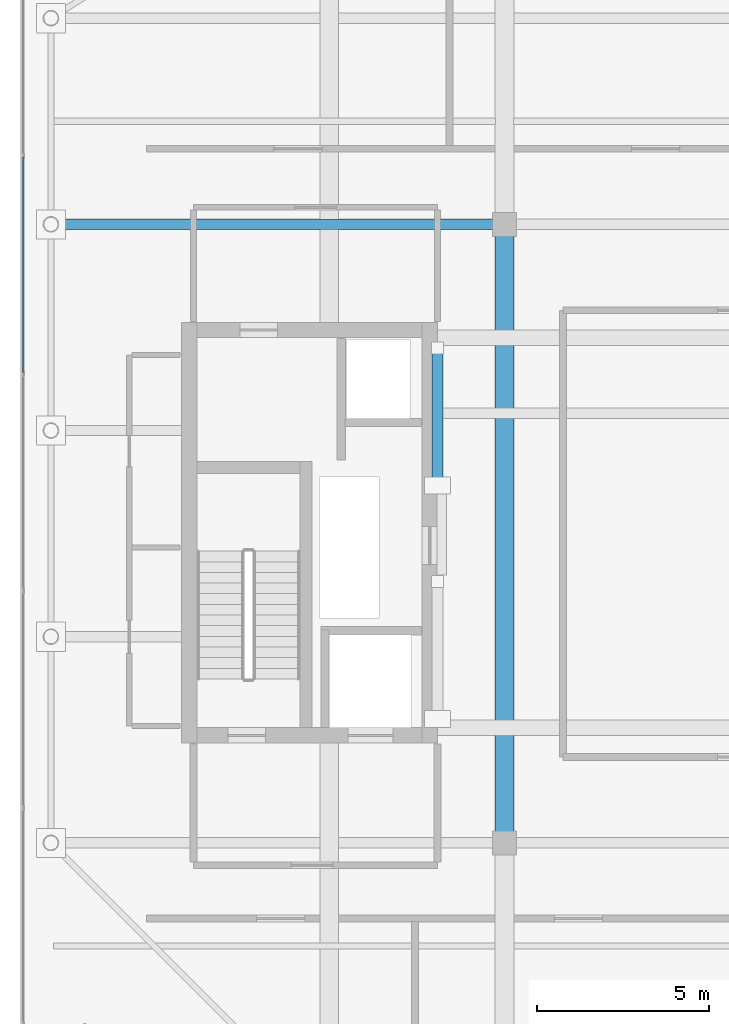
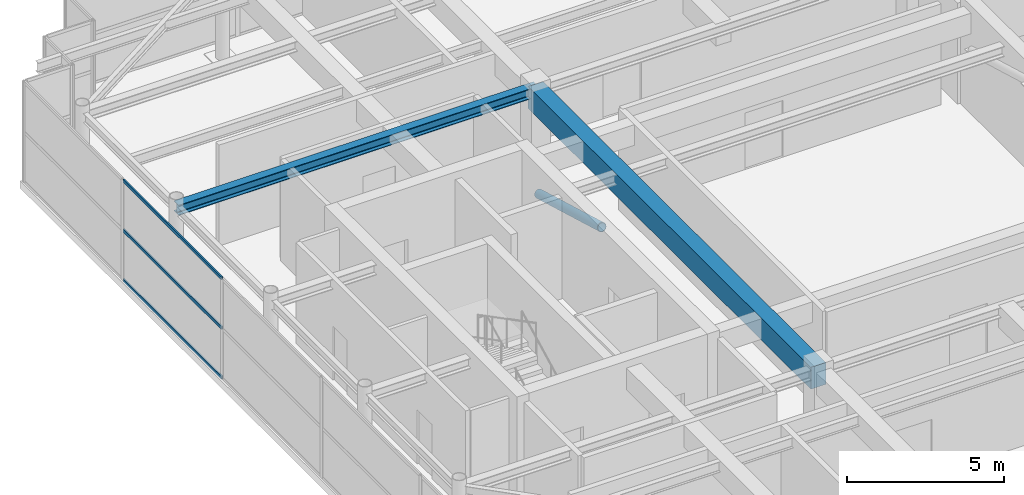
# One storey, part 12 of 32: 4 members, 2 beams, 1 element without a shape of its own.
"""IFC4 building model written with IfcOpenShell, lengths in metres."""

import ifcopenshell
import ifcopenshell.guid

model = None  # the IFC model being written
_history = None  # IfcOwnerHistory: only IFC2X3 demands one
_inside = {}  # id of a spatial element -> (the spatial element, [elements in it])
_under = {}  # id of a project, library or spatial element -> (it, [spatial elements below it])
_declared = {}  # id of a project -> (the project, [libraries it declares])
_typed = {}  # id of a type object -> (the type object, [elements of that type])
_made_of = {}  # id of a material, layer set ... -> (it, [elements and type objects made of it])


def new_model(schema):
    """Start an empty IFC model of exactly this schema.

    Asked for "IFC4X3", IfcOpenShell would pick the latest addendum, in which some entities
    have other attributes; the version numbers below select the first issue.
    IFC2X3 requires an IfcOwnerHistory on every rooted entity: one is made here for all.
    """
    global model, _history
    if schema == "IFC4X3":
        model = ifcopenshell.file(schema_version=(4, 3, 0, 0))
    else:
        model = ifcopenshell.file(schema=schema)
    _inside.clear()
    _under.clear()
    _declared.clear()
    _typed.clear()
    _made_of.clear()
    _history = None
    if model.schema == "IFC2X3":
        org = make("IfcOrganization", Name="unknown")
        user = make(
            "IfcPersonAndOrganization",
            ThePerson=make("IfcPerson", FamilyName="unknown"),
            TheOrganization=org,
        )
        app = make(
            "IfcApplication",
            ApplicationDeveloper=org,
            Version="unknown",
            ApplicationFullName="unknown",
            ApplicationIdentifier="unknown",
        )
        _history = make(
            "IfcOwnerHistory",
            OwningUser=user,
            OwningApplication=app,
            ChangeAction="ADDED",
            CreationDate=0,
        )
    return model


def make(cls, **values):
    """One entity of the class cls with the attributes given. An attribute that is None is left unset."""
    return model.create_entity(
        cls, **{name: value for name, value in values.items() if value is not None}
    )


def rooted(cls, **values):
    """An entity with a GlobalId (a new one), such as an element, a storey or a relation."""
    return make(cls, GlobalId=ifcopenshell.guid.new(), OwnerHistory=_history, **values)


def si_unit(unit_type, name, prefix=None):
    """IfcSIUnit, for example si_unit("LENGTHUNIT", "METRE", prefix="MILLI")."""
    return make("IfcSIUnit", UnitType=unit_type, Prefix=prefix, Name=name)


def assignment(units):
    """IfcUnitAssignment: the units of a project."""
    return None if units is None else make("IfcUnitAssignment", Units=units)


def point(xyz):
    """IfcCartesianPoint."""
    return None if xyz is None else make("IfcCartesianPoint", Coordinates=xyz)


def direction(xyz):
    """IfcDirection."""
    return None if xyz is None else make("IfcDirection", DirectionRatios=xyz)


def frame(location, z_axis=None, x_axis=None):
    """IfcAxis2Placement3D, a coordinate frame: its origin and axes. An axis left out is left unset."""
    return make(
        "IfcAxis2Placement3D",
        Location=point(location),
        Axis=direction(z_axis),
        RefDirection=direction(x_axis),
    )


def frame_2d(location, x_axis=None):
    """IfcAxis2Placement2D, a coordinate frame in the plane: its origin and x axis."""
    return make(
        "IfcAxis2Placement2D", Location=point(location), RefDirection=direction(x_axis)
    )


def origin():
    """The frame at (0, 0, 0) with its axes left unset."""
    return frame((0.0, 0.0, 0.0))


def origin_2d():
    """The frame at (0, 0) in the plane with its x axis left unset."""
    return frame_2d((0.0, 0.0))


def place(relative_to, where):
    """IfcLocalPlacement: puts the frame where relative to a parent placement (None: the world)."""
    return make(
        "IfcLocalPlacement", PlacementRelTo=relative_to, RelativePlacement=where
    )


def context(
    kind, dimensions, precision=None, world=None, true_north=None, identifier=None
):
    """IfcGeometricRepresentationContext, for example the 3D "Model" context."""
    return make(
        "IfcGeometricRepresentationContext",
        ContextIdentifier=identifier,
        ContextType=kind,
        CoordinateSpaceDimension=dimensions,
        Precision=precision,
        WorldCoordinateSystem=world,
        TrueNorth=true_north,
    )


def subcontext(parent, identifier, kind, view, scale=None):
    """IfcGeometricRepresentationSubContext, for example "Body" below "Model"."""
    return make(
        "IfcGeometricRepresentationSubContext",
        ContextIdentifier=identifier,
        ContextType=kind,
        ParentContext=parent,
        TargetScale=scale,
        TargetView=view,
    )


def project(units=None, contexts=None):
    """IfcProject with its units and contexts."""
    return rooted(
        "IfcProject",
        Name="project",
        RepresentationContexts=contexts,
        UnitsInContext=assignment(units),
    )


def spatial(cls, under=None, at=None, **own):
    """A site, building, storey or space (cls), placed at a placement, below another one or the project."""
    s = rooted(cls, ObjectPlacement=at, **own)
    if under is not None:
        _under.setdefault(under.id(), (under, []))[1].append(s)
    return s


def profile(cls, at=None, kind="AREA", **sizes):
    """A parametric profile (cls). Its sizes go by their IFC names, for example OverallWidth=200.0."""
    return make(cls, ProfileType=kind, Position=at, **sizes)


def rectangle(**sizes):
    """IfcRectangleProfileDef."""
    return profile("IfcRectangleProfileDef", **sizes)


def hollow_rectangle(**sizes):
    """IfcRectangleHollowProfileDef."""
    return profile("IfcRectangleHollowProfileDef", **sizes)


def hollow_circle(**sizes):
    """IfcCircleHollowProfileDef."""
    return profile("IfcCircleHollowProfileDef", **sizes)


def i_section(**sizes):
    """IfcIShapeProfileDef."""
    return profile("IfcIShapeProfileDef", **sizes)


def extrude(swept, where, along, depth):
    """IfcExtrudedAreaSolid: the profile swept, set in the frame where, extruded along a direction by depth."""
    return make(
        "IfcExtrudedAreaSolid",
        SweptArea=swept,
        Position=where,
        ExtrudedDirection=direction(along),
        Depth=depth,
    )


def shape(context_of_items, identifier, shape_type, items):
    """IfcShapeRepresentation: the items that make up one representation, for example the "Body"."""
    return make(
        "IfcShapeRepresentation",
        ContextOfItems=context_of_items,
        RepresentationIdentifier=identifier,
        RepresentationType=shape_type,
        Items=items,
    )


def source(mapping_origin, context_of_items, identifier, shape_type, items):
    """IfcRepresentationMap: a shape defined once, which mapped items show again and again."""
    return make(
        "IfcRepresentationMap",
        MappingOrigin=mapping_origin,
        MappedRepresentation=shape(context_of_items, identifier, shape_type, items),
    )


def transform(
    local_origin,
    x_axis=None,
    y_axis=None,
    z_axis=None,
    scale=None,
    scale2=None,
    scale3=None,
    uniform=True,
):
    """IfcCartesianTransformationOperator3D, or its non-uniform kind. x_axis, y_axis, z_axis: its Axis1, 2, 3."""
    if uniform:
        return make(
            "IfcCartesianTransformationOperator3D",
            Axis1=direction(x_axis),
            Axis2=direction(y_axis),
            LocalOrigin=point(local_origin),
            Scale=scale,
            Axis3=direction(z_axis),
        )
    return make(
        "IfcCartesianTransformationOperator3DnonUniform",
        Axis1=direction(x_axis),
        Axis2=direction(y_axis),
        LocalOrigin=point(local_origin),
        Scale=scale,
        Axis3=direction(z_axis),
        Scale2=scale2,
        Scale3=scale3,
    )


def mapped(mapping_source, mapping_target):
    """IfcMappedItem: shows the shape of a source again, moved by a transform."""
    return make(
        "IfcMappedItem", MappingSource=mapping_source, MappingTarget=mapping_target
    )


def material(Name=None, Category=None):
    """IfcMaterial."""
    return make("IfcMaterial", Name=Name, Category=Category)


def layer(
    of_material, thickness, ventilated=None, Name=None, Category=None, Priority=None
):
    """IfcMaterialLayer: one layer of a wall or slab, of a material (None: an air gap)."""
    return make(
        "IfcMaterialLayer",
        Material=of_material,
        LayerThickness=thickness,
        IsVentilated=ventilated,
        Name=Name,
        Category=Category,
        Priority=Priority,
    )


def layer_set(layers, Name=None):
    """IfcMaterialLayerSet."""
    return make("IfcMaterialLayerSet", MaterialLayers=layers, LayerSetName=Name)


def material_profile(
    of_material, cross_section, Name=None, Category=None, Priority=None
):
    """IfcMaterialProfile: a cross section and its material."""
    return make(
        "IfcMaterialProfile",
        Name=Name,
        Material=of_material,
        Profile=cross_section,
        Priority=Priority,
        Category=Category,
    )


def profile_set(profiles, Name=None, composite=None):
    """IfcMaterialProfileSet."""
    return make(
        "IfcMaterialProfileSet",
        Name=Name,
        MaterialProfiles=profiles,
        CompositeProfile=composite,
    )


def made_of(thing, what):
    """Note that an element or type object is made of a material, layer set ...; save() writes the relation."""
    if what is not None:
        _made_of.setdefault(what.id(), (what, []))[1].append(thing)
    return thing


def type_object(cls, material=None, **own):
    """A type object (cls), such as IfcWallType, which elements share."""
    return made_of(rooted(cls, **own), material)


def element(
    cls,
    number,
    at=None,
    inside=None,
    cuts=None,
    type_object=None,
    material=None,
    context=None,
    identifier="Body",
    shape_type=None,
    held_by="IfcProductDefinitionShape",
    body=None,
    shapes=None,
    **own,
):
    """One element of the class cls, such as IfcWall. Its Tag is "e" and its number.

    at: its placement. inside: the storey or other place that contains it. cuts: it is an
    opening in that element (IfcRelVoidsElement). A single representation is given by context,
    identifier, shape_type and body (its items); several are given by shapes. held_by: the class
    of the entity that holds the representations. save() writes the other relations.
    """
    e = rooted(cls, Tag="e%d" % number, ObjectPlacement=at, **own)
    if body is not None:
        shapes = [shape(context, identifier, shape_type, body)]
    if shapes is not None:
        e.Representation = make(held_by, Representations=shapes)
    if inside is not None:
        _inside.setdefault(inside.id(), (inside, []))[1].append(e)
    if cuts is not None:
        rooted(
            "IfcRelVoidsElement", RelatingBuildingElement=cuts, RelatedOpeningElement=e
        )
    if type_object is not None:
        _typed.setdefault(type_object.id(), (type_object, []))[1].append(e)
    return made_of(e, material)


def aggregate(whole, parts):
    """IfcRelAggregates: a whole, such as a stair, and the parts it consists of."""
    return rooted("IfcRelAggregates", RelatingObject=whole, RelatedObjects=parts)


def save(model, path):
    """Write the relations noted so far, then the file.

    IfcRelAggregates (storeys below a building ...), IfcRelContainedInSpatialStructure (elements
    in a storey), IfcRelDefinesByType, IfcRelAssociatesMaterial and IfcRelDeclares: one each for
    every whole, place, type object, material and project.
    """
    for whole, parts in _under.values():
        aggregate(whole, parts)
    for where, things in _inside.values():
        rooted(
            "IfcRelContainedInSpatialStructure",
            RelatedElements=things,
            RelatingStructure=where,
        )
    for kind, things in _typed.values():
        rooted("IfcRelDefinesByType", RelatedObjects=things, RelatingType=kind)
    for what, things in _made_of.values():
        rooted("IfcRelAssociatesMaterial", RelatedObjects=things, RelatingMaterial=what)
    for by, libraries in _declared.values():
        rooted("IfcRelDeclares", RelatingContext=by, RelatedDefinitions=libraries)
    model.write(path)


model = new_model("IFC4")

# Units and contexts
model_context = context("Model", 3, precision=1e-05, world=origin(), true_north=direction((0.0, 1.0)))
body_context = subcontext(model_context, "Body", "Model", "MODEL_VIEW")
ifc_project = project(units=[si_unit("LENGTHUNIT", "METRE"), si_unit("AREAUNIT", "SQUARE_METRE"), si_unit("VOLUMEUNIT", "CUBIC_METRE"), si_unit("PLANEANGLEUNIT", "RADIAN"), si_unit("MASSUNIT", "GRAM", prefix="KILO")], contexts=[model_context])

# Site, building, storey
site_placement = place(None, origin())
site = spatial("IfcSite", under=ifc_project, at=site_placement, CompositionType="ELEMENT")
building_placement = place(site_placement, origin())
building = spatial("IfcBuilding", under=site, at=building_placement, Name="Khoralis Quay Care Tower", CompositionType="ELEMENT")
storey_placement = place(building_placement, frame((0.0, 0.0, 293.699951171875)))
storey = spatial("IfcBuildingStorey", under=building, at=storey_placement, Name="L77", CompositionType="ELEMENT", Elevation=293.699951171875)

# Beams
ifc_material_1 = material(Name="Steel S355", Category="steel")
ifc_material_profile_1 = material_profile(ifc_material_1, i_section(OverallWidth=0.300048828125, OverallDepth=0.39990234375, WebThickness=0.013427734375, FlangeThickness=0.02392578125, FilletRadius=0.027099609375, at=origin_2d()), Name="Steel S355")
ifc_profile_set_1 = profile_set([ifc_material_profile_1], Name="Steel S355")
beam_type_1 = type_object("IfcBeamType", Name="BM-HEB400", PredefinedType="BEAM", material=ifc_profile_set_1)
shared_shape_1 = source(origin(), body_context, "Body", "SweptSolid", [
    extrude(i_section(OverallWidth=0.300048828125, OverallDepth=0.39990234375, WebThickness=0.013427734375, FlangeThickness=0.02392578125, FilletRadius=0.027099609375, at=origin_2d()), origin(), (0.0, 0.0, 1.0), 13.2001953125),
])
beam_1_placement = place(storey_placement, frame((3.89990234375, 30.0, 3.719970703125), z_axis=(1.0, 0.0, 0.0), x_axis=(0.0, 1.0, 0.0)))
element("IfcBeam", 1, at=beam_1_placement, inside=storey, type_object=beam_type_1, Name="BM-TGXW-L77-300", PredefinedType="BEAM", context=body_context, shape_type="MappedRepresentation", body=[
    mapped(shared_shape_1, transform((0.0, 0.0, 0.0), scale=1.0)),
])
ifc_material_2 = material(Name="Concrete C50/60", Category="concrete")
ifc_material_profile_2 = material_profile(ifc_material_2, rectangle(XDim=0.550048828125, YDim=0.85009765625, at=origin_2d()), Name="Concrete C50/60")
ifc_profile_set_2 = profile_set([ifc_material_profile_2], Name="Concrete C50/60")
beam_type_2 = type_object("IfcBeamType", Name="BM-RC550X850", PredefinedType="BEAM", material=ifc_profile_set_2)
shared_shape_2 = source(origin(), body_context, "Body", "SweptSolid", [
    extrude(rectangle(XDim=0.550048828125, YDim=0.85009765625, at=origin_2d()), origin(), (0.0, 0.0, 1.0), 18.0),
])
beam_2_placement = place(storey_placement, frame((17.10009765625, 12.0, 3.4951171875), z_axis=(0.0, 1.0, 0.0), x_axis=(-1.0, 0.0, 0.0)))
element("IfcBeam", 2, at=beam_2_placement, inside=storey, type_object=beam_type_2, Name="BM-TGSW-L77", PredefinedType="BEAM", context=body_context, shape_type="MappedRepresentation", body=[
    mapped(shared_shape_2, transform((0.0, 0.0, 0.0), scale=1.0)),
])

# Member
ifc_material_profile_3 = material_profile(ifc_material_1, hollow_circle(Radius=0.161865234375, WallThickness=0.01611328125, at=origin_2d()), Name="Steel S355")
ifc_profile_set_3 = profile_set([ifc_material_profile_3], Name="Steel S355")
member_type_1 = type_object("IfcMemberType", Name="ST-CHS323X16", PredefinedType="STRUT", material=ifc_profile_set_3)
shared_shape_3 = source(origin(), body_context, "Body", "SweptSolid", [
    extrude(hollow_circle(Radius=0.161865234375, WallThickness=0.01611328125, at=origin_2d()), origin(), (0.0, 0.0, 1.0), 4.156494140625),
])
member_1_placement = place(storey_placement, frame((15.14794921875, 22.39990234375, 3.650146484375), z_axis=(0.0, 0.962328782221, -0.271888423639), x_axis=(-1.0, 0.0, 0.0)))
element("IfcMember", 3, at=member_1_placement, inside=storey, type_object=member_type_1, Name="L77 Lantern Diagrid Strut 2", PredefinedType="STRUT", context=body_context, shape_type="MappedRepresentation", body=[
    mapped(shared_shape_3, transform((0.0, 0.0, 0.0), scale=1.0)),
])

# Curtain wall, members
ifc_material_3 = material(Name="Pale anodised aluminium", Category="aluminium")
ifc_layer = layer(ifc_material_3, 0.199951171875)
ifc_layer_set = layer_set([ifc_layer], Name="Pale anodised aluminium")
curtain_wall_type = type_object("IfcCurtainWallType", Name="CW-SYS-LANTERN", PredefinedType="NOTDEFINED", material=ifc_layer_set)
curtain_wall_placement = place(storey_placement, origin())
curtain_wall = element("IfcCurtainWall", 4, at=curtain_wall_placement, inside=storey, type_object=curtain_wall_type, Name="L77 Unitised Curtain Wall CW-LN-L77-16", PredefinedType="NOTDEFINED")
ifc_material_profile_4 = material_profile(ifc_material_3, hollow_rectangle(XDim=0.054931640625, YDim=0.1201171875, WallThickness=0.00390625, at=origin_2d()), Name="Pale anodised aluminium")
ifc_profile_set_4 = profile_set([ifc_material_profile_4], Name="Pale anodised aluminium")
member_type_2 = type_object("IfcMemberType", Name="CW-TRN-120", PredefinedType="USERDEFINED", material=ifc_profile_set_4)
shared_shape_4 = source(origin(), body_context, "Body", "SweptSolid", [
    extrude(hollow_rectangle(XDim=0.054931640625, YDim=0.1201171875, WallThickness=0.00390625, at=origin_2d()), origin(), (0.0, 0.0, 1.0), 6.26416015625),
])
member_2_placement = place(storey_placement, frame((3.090087890625, 31.9560546875, 0.030029296875), z_axis=(0.0, -1.0, 0.0), x_axis=(1.0, 0.0, 0.0)))
member_2 = element("IfcMember", 5, at=member_2_placement, type_object=member_type_2, Name="CW5 transom 2.1", ObjectType="TRANSOM", PredefinedType="USERDEFINED", context=body_context, shape_type="MappedRepresentation", body=[
    mapped(shared_shape_4, transform((0.0, 0.0, 0.0), scale=1.0)),
])
member_3_placement = place(storey_placement, frame((3.090087890625, 31.9560546875, 1.9599609375), z_axis=(0.0, -1.0, 0.0), x_axis=(1.0, 0.0, 0.0)))
member_3 = element("IfcMember", 6, at=member_3_placement, type_object=member_type_2, Name="CW5 transom 2.2", ObjectType="TRANSOM", PredefinedType="USERDEFINED", context=body_context, shape_type="MappedRepresentation", body=[
    mapped(shared_shape_4, transform((0.0, 0.0, 0.0), scale=1.0)),
])
member_4_placement = place(storey_placement, frame((3.090087890625, 31.9560546875, 3.89013671875), z_axis=(0.0, -1.0, 0.0), x_axis=(1.0, 0.0, 0.0)))
member_4 = element("IfcMember", 7, at=member_4_placement, type_object=member_type_2, Name="CW5 transom 2.3", ObjectType="TRANSOM", PredefinedType="USERDEFINED", context=body_context, shape_type="MappedRepresentation", body=[
    mapped(shared_shape_4, transform((0.0, 0.0, 0.0), scale=1.0)),
])
aggregate(curtain_wall, [member_2, member_3, member_4])

save(model, "model.ifc")
